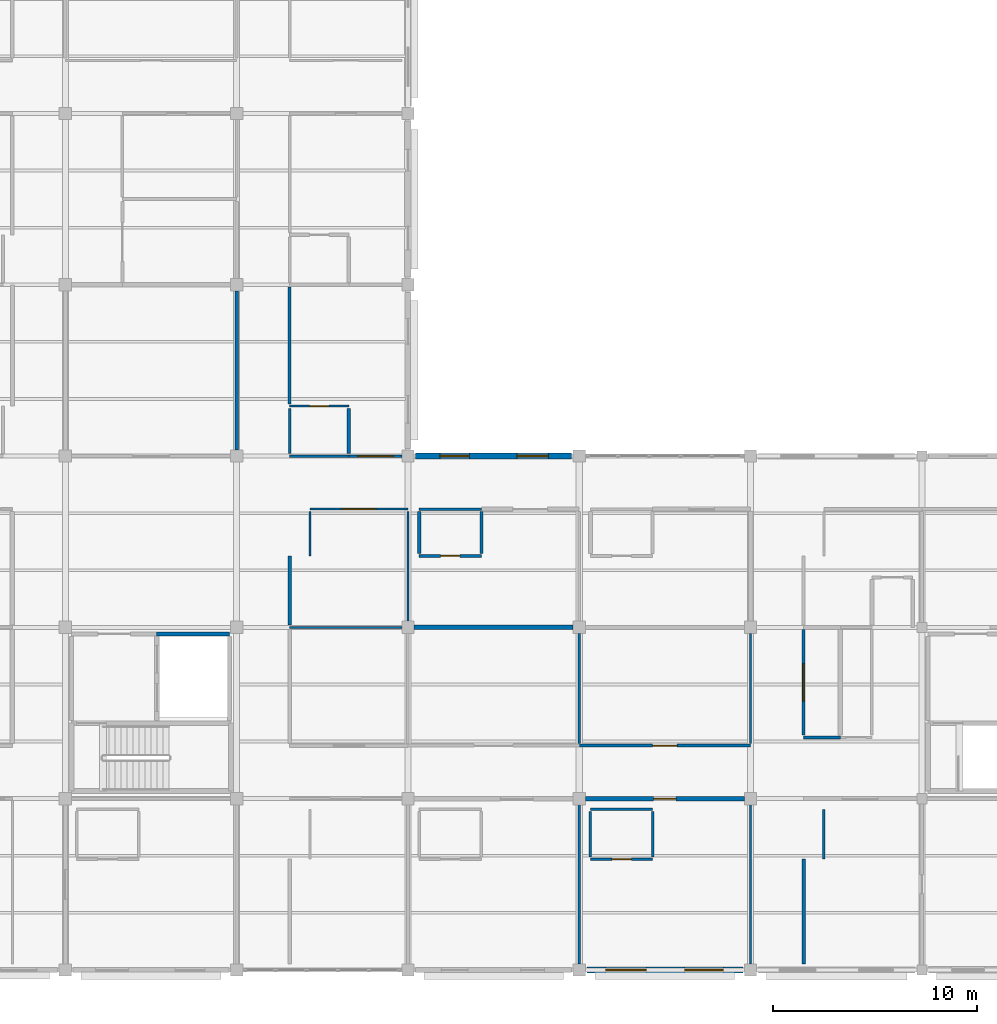
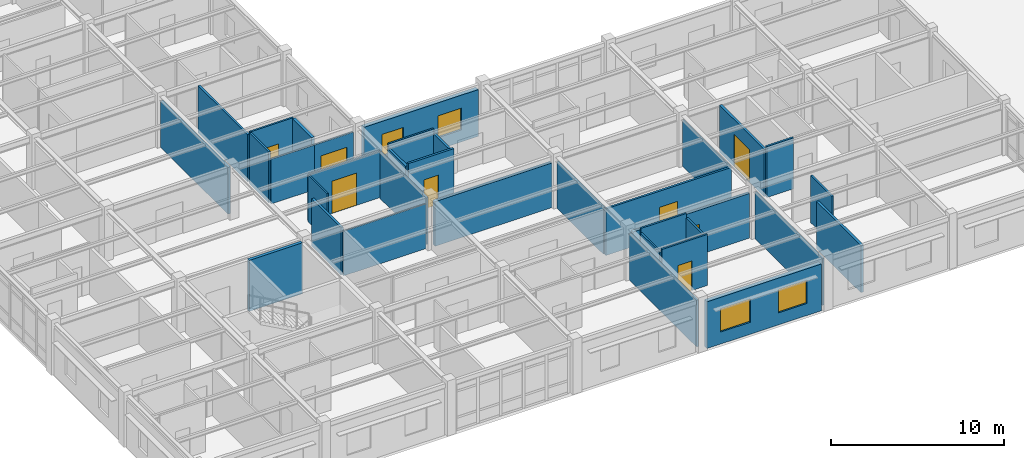
# One storey, part 46 of 70: 34 walls, 8 doors, 4 windows, 12 openings.
"""IFC4 building model written with IfcOpenShell, lengths in metres."""

import ifcopenshell
import ifcopenshell.guid

model = None  # the IFC model being written
_history = None  # IfcOwnerHistory: only IFC2X3 demands one
_inside = {}  # id of a spatial element -> (the spatial element, [elements in it])
_under = {}  # id of a project, library or spatial element -> (it, [spatial elements below it])
_declared = {}  # id of a project -> (the project, [libraries it declares])
_typed = {}  # id of a type object -> (the type object, [elements of that type])
_made_of = {}  # id of a material, layer set ... -> (it, [elements and type objects made of it])


def new_model(schema):
    """Start an empty IFC model of exactly this schema.

    Asked for "IFC4X3", IfcOpenShell would pick the latest addendum, in which some entities
    have other attributes; the version numbers below select the first issue.
    IFC2X3 requires an IfcOwnerHistory on every rooted entity: one is made here for all.
    """
    global model, _history
    if schema == "IFC4X3":
        model = ifcopenshell.file(schema_version=(4, 3, 0, 0))
    else:
        model = ifcopenshell.file(schema=schema)
    _inside.clear()
    _under.clear()
    _declared.clear()
    _typed.clear()
    _made_of.clear()
    _history = None
    if model.schema == "IFC2X3":
        org = make("IfcOrganization", Name="unknown")
        user = make(
            "IfcPersonAndOrganization",
            ThePerson=make("IfcPerson", FamilyName="unknown"),
            TheOrganization=org,
        )
        app = make(
            "IfcApplication",
            ApplicationDeveloper=org,
            Version="unknown",
            ApplicationFullName="unknown",
            ApplicationIdentifier="unknown",
        )
        _history = make(
            "IfcOwnerHistory",
            OwningUser=user,
            OwningApplication=app,
            ChangeAction="ADDED",
            CreationDate=0,
        )
    return model


def make(cls, **values):
    """One entity of the class cls with the attributes given. An attribute that is None is left unset."""
    return model.create_entity(
        cls, **{name: value for name, value in values.items() if value is not None}
    )


def rooted(cls, **values):
    """An entity with a GlobalId (a new one), such as an element, a storey or a relation."""
    return make(cls, GlobalId=ifcopenshell.guid.new(), OwnerHistory=_history, **values)


def si_unit(unit_type, name, prefix=None):
    """IfcSIUnit, for example si_unit("LENGTHUNIT", "METRE", prefix="MILLI")."""
    return make("IfcSIUnit", UnitType=unit_type, Prefix=prefix, Name=name)


def assignment(units):
    """IfcUnitAssignment: the units of a project."""
    return None if units is None else make("IfcUnitAssignment", Units=units)


def point(xyz):
    """IfcCartesianPoint."""
    return None if xyz is None else make("IfcCartesianPoint", Coordinates=xyz)


def direction(xyz):
    """IfcDirection."""
    return None if xyz is None else make("IfcDirection", DirectionRatios=xyz)


def frame(location, z_axis=None, x_axis=None):
    """IfcAxis2Placement3D, a coordinate frame: its origin and axes. An axis left out is left unset."""
    return make(
        "IfcAxis2Placement3D",
        Location=point(location),
        Axis=direction(z_axis),
        RefDirection=direction(x_axis),
    )


def frame_2d(location, x_axis=None):
    """IfcAxis2Placement2D, a coordinate frame in the plane: its origin and x axis."""
    return make(
        "IfcAxis2Placement2D", Location=point(location), RefDirection=direction(x_axis)
    )


def origin():
    """The frame at (0, 0, 0) with its axes left unset."""
    return frame((0.0, 0.0, 0.0))


def place(relative_to, where):
    """IfcLocalPlacement: puts the frame where relative to a parent placement (None: the world)."""
    return make(
        "IfcLocalPlacement", PlacementRelTo=relative_to, RelativePlacement=where
    )


def context(
    kind, dimensions, precision=None, world=None, true_north=None, identifier=None
):
    """IfcGeometricRepresentationContext, for example the 3D "Model" context."""
    return make(
        "IfcGeometricRepresentationContext",
        ContextIdentifier=identifier,
        ContextType=kind,
        CoordinateSpaceDimension=dimensions,
        Precision=precision,
        WorldCoordinateSystem=world,
        TrueNorth=true_north,
    )


def subcontext(parent, identifier, kind, view, scale=None):
    """IfcGeometricRepresentationSubContext, for example "Body" below "Model"."""
    return make(
        "IfcGeometricRepresentationSubContext",
        ContextIdentifier=identifier,
        ContextType=kind,
        ParentContext=parent,
        TargetScale=scale,
        TargetView=view,
    )


def project(units=None, contexts=None):
    """IfcProject with its units and contexts."""
    return rooted(
        "IfcProject",
        Name="project",
        RepresentationContexts=contexts,
        UnitsInContext=assignment(units),
    )


def spatial(cls, under=None, at=None, **own):
    """A site, building, storey or space (cls), placed at a placement, below another one or the project."""
    s = rooted(cls, ObjectPlacement=at, **own)
    if under is not None:
        _under.setdefault(under.id(), (under, []))[1].append(s)
    return s


def profile(cls, at=None, kind="AREA", **sizes):
    """A parametric profile (cls). Its sizes go by their IFC names, for example OverallWidth=200.0."""
    return make(cls, ProfileType=kind, Position=at, **sizes)


def rectangle(**sizes):
    """IfcRectangleProfileDef."""
    return profile("IfcRectangleProfileDef", **sizes)


def extrude(swept, where, along, depth):
    """IfcExtrudedAreaSolid: the profile swept, set in the frame where, extruded along a direction by depth."""
    return make(
        "IfcExtrudedAreaSolid",
        SweptArea=swept,
        Position=where,
        ExtrudedDirection=direction(along),
        Depth=depth,
    )


def shape(context_of_items, identifier, shape_type, items):
    """IfcShapeRepresentation: the items that make up one representation, for example the "Body"."""
    return make(
        "IfcShapeRepresentation",
        ContextOfItems=context_of_items,
        RepresentationIdentifier=identifier,
        RepresentationType=shape_type,
        Items=items,
    )


def material(Name=None, Category=None):
    """IfcMaterial."""
    return make("IfcMaterial", Name=Name, Category=Category)


def layer(
    of_material, thickness, ventilated=None, Name=None, Category=None, Priority=None
):
    """IfcMaterialLayer: one layer of a wall or slab, of a material (None: an air gap)."""
    return make(
        "IfcMaterialLayer",
        Material=of_material,
        LayerThickness=thickness,
        IsVentilated=ventilated,
        Name=Name,
        Category=Category,
        Priority=Priority,
    )


def layer_set(layers, Name=None):
    """IfcMaterialLayerSet."""
    return make("IfcMaterialLayerSet", MaterialLayers=layers, LayerSetName=Name)


def made_of(thing, what):
    """Note that an element or type object is made of a material, layer set ...; save() writes the relation."""
    if what is not None:
        _made_of.setdefault(what.id(), (what, []))[1].append(thing)
    return thing


def type_object(cls, material=None, **own):
    """A type object (cls), such as IfcWallType, which elements share."""
    return made_of(rooted(cls, **own), material)


def element(
    cls,
    number,
    at=None,
    inside=None,
    cuts=None,
    type_object=None,
    material=None,
    context=None,
    identifier="Body",
    shape_type=None,
    held_by="IfcProductDefinitionShape",
    body=None,
    shapes=None,
    **own,
):
    """One element of the class cls, such as IfcWall. Its Tag is "e" and its number.

    at: its placement. inside: the storey or other place that contains it. cuts: it is an
    opening in that element (IfcRelVoidsElement). A single representation is given by context,
    identifier, shape_type and body (its items); several are given by shapes. held_by: the class
    of the entity that holds the representations. save() writes the other relations.
    """
    e = rooted(cls, Tag="e%d" % number, ObjectPlacement=at, **own)
    if body is not None:
        shapes = [shape(context, identifier, shape_type, body)]
    if shapes is not None:
        e.Representation = make(held_by, Representations=shapes)
    if inside is not None:
        _inside.setdefault(inside.id(), (inside, []))[1].append(e)
    if cuts is not None:
        rooted(
            "IfcRelVoidsElement", RelatingBuildingElement=cuts, RelatedOpeningElement=e
        )
    if type_object is not None:
        _typed.setdefault(type_object.id(), (type_object, []))[1].append(e)
    return made_of(e, material)


def fill(opening, filler):
    """IfcRelFillsElement: the door or window that sits in an opening."""
    return rooted(
        "IfcRelFillsElement",
        RelatingOpeningElement=opening,
        RelatedBuildingElement=filler,
    )


def aggregate(whole, parts):
    """IfcRelAggregates: a whole, such as a stair, and the parts it consists of."""
    return rooted("IfcRelAggregates", RelatingObject=whole, RelatedObjects=parts)


def save(model, path):
    """Write the relations noted so far, then the file.

    IfcRelAggregates (storeys below a building ...), IfcRelContainedInSpatialStructure (elements
    in a storey), IfcRelDefinesByType, IfcRelAssociatesMaterial and IfcRelDeclares: one each for
    every whole, place, type object, material and project.
    """
    for whole, parts in _under.values():
        aggregate(whole, parts)
    for where, things in _inside.values():
        rooted(
            "IfcRelContainedInSpatialStructure",
            RelatedElements=things,
            RelatingStructure=where,
        )
    for kind, things in _typed.values():
        rooted("IfcRelDefinesByType", RelatedObjects=things, RelatingType=kind)
    for what, things in _made_of.values():
        rooted("IfcRelAssociatesMaterial", RelatedObjects=things, RelatingMaterial=what)
    for by, libraries in _declared.values():
        rooted("IfcRelDeclares", RelatingContext=by, RelatedDefinitions=libraries)
    model.write(path)


model = new_model("IFC4")

# Units and contexts
model_context = context("Model", 3, precision=1e-05, world=origin(), true_north=direction((0.0, 1.0)))
body_context = subcontext(model_context, "Body", "Model", "MODEL_VIEW")
ifc_project = project(units=[si_unit("LENGTHUNIT", "METRE"), si_unit("AREAUNIT", "SQUARE_METRE"), si_unit("VOLUMEUNIT", "CUBIC_METRE"), si_unit("PLANEANGLEUNIT", "RADIAN"), si_unit("MASSUNIT", "GRAM", prefix="KILO")], contexts=[model_context])

# Site, building, storey
site_placement = place(None, origin())
site = spatial("IfcSite", under=ifc_project, at=site_placement, CompositionType="ELEMENT")
building_placement = place(site_placement, origin())
building = spatial("IfcBuilding", under=site, at=building_placement, Name="Bramfleet General Hospital", CompositionType="ELEMENT")
storey_placement = place(building_placement, frame((0.0, 0.0, 22.5)))
storey = spatial("IfcBuildingStorey", under=building, at=storey_placement, Name="L05", CompositionType="ELEMENT", Elevation=22.5)

# Wall, openings, windows
ifc_material_1 = material(Name="Precast concrete C40/50", Category="concrete")
ifc_layer_1 = layer(ifc_material_1, 0.280029296875, Name="WT-EW-06")
ifc_layer_set_1 = layer_set([ifc_layer_1], Name="Precast concrete C40/50")
wall_type_1 = type_object("IfcWallType", Name="WT-EW-06", PredefinedType="SOLIDWALL", material=ifc_layer_set_1)
wall_1_placement = place(storey_placement, frame((117.97509765625, 25.199951171875, 0.0), z_axis=(0.0, 0.0, 1.0), x_axis=(1.0, 0.0, 0.0)))
wall_1 = element("IfcWall", 1, at=wall_1_placement, inside=storey, type_object=wall_type_1, Name="L05 Exterior Wall 368", PredefinedType="SOLIDWALL", context=body_context, shape_type="SweptSolid", body=[
    extrude(rectangle(XDim=7.64990234375, YDim=0.280029296875, at=frame_2d((3.824951171875, 0.0))), origin(), (0.0, 0.0, 1.0), 3.31005859375),
])
opening_1_placement = place(wall_1_placement, frame((1.1875, 0.0, 0.85009765625)))
opening_1 = element("IfcOpeningElement", 2, at=opening_1_placement, cuts=wall_1, Name="Opening W-25", PredefinedType="OPENING", context=body_context, shape_type="SweptSolid", body=[
    extrude(rectangle(XDim=1.449951171875, YDim=1.5400390625, at=frame_2d((0.72509765625, 0.77001953125))), frame((0.0, 0.14990234375, 0.0), z_axis=(0.0, -1.0, 0.0), x_axis=(1.0, 0.0, 0.0)), (0.0, 0.0, 1.0), 0.300048828125),
])
opening_2_placement = place(wall_1_placement, frame((4.96240234375, 0.0, 0.85009765625)))
opening_2 = element("IfcOpeningElement", 3, at=opening_2_placement, cuts=wall_1, Name="Opening W-26", PredefinedType="OPENING", context=body_context, shape_type="SweptSolid", body=[
    extrude(rectangle(XDim=1.550048828125, YDim=1.5400390625, at=frame_2d((0.77490234375, 0.77001953125))), frame((0.0, 0.14990234375, 0.0), z_axis=(0.0, -1.0, 0.0), x_axis=(1.0, 0.0, 0.0)), (0.0, 0.0, 1.0), 0.300048828125),
])
ifc_material_2 = material(Name="Anodised aluminium and low-E triple glazing", Category="aluminium")
window_type_1 = type_object("IfcWindowType", Name="WIN-W-25", PartitioningType="SINGLE_PANEL", PredefinedType="WINDOW", material=ifc_material_2)
window_1_placement = place(opening_1_placement, origin())
window_1 = element("IfcWindow", 4, at=window_1_placement, inside=storey, type_object=window_type_1, Name="L05 Facade Window WIN-L05-368-1", OverallHeight=1.5400390625, OverallWidth=1.449951171875, PartitioningType="SINGLE_PANEL", PredefinedType="WINDOW", context=body_context, shape_type="SweptSolid", body=[
    extrude(rectangle(XDim=1.449951171875, YDim=1.5400390625, at=frame_2d((0.72509765625, 0.77001953125))), frame((0.0, 0.030029296875, 0.0), z_axis=(0.0, -1.0, 0.0), x_axis=(1.0, 0.0, 0.0)), (0.0, 0.0, 1.0), 0.06005859375),
])
fill(opening_1, window_1)
window_type_2 = type_object("IfcWindowType", Name="WIN-W-26", PartitioningType="SINGLE_PANEL", PredefinedType="WINDOW", material=ifc_material_2)
window_2_placement = place(opening_2_placement, origin())
window_2 = element("IfcWindow", 5, at=window_2_placement, inside=storey, type_object=window_type_2, Name="L05 Facade Window WIN-L05-368-2", OverallHeight=1.5400390625, OverallWidth=1.550048828125, PartitioningType="SINGLE_PANEL", PredefinedType="WINDOW", context=body_context, shape_type="SweptSolid", body=[
    extrude(rectangle(XDim=1.550048828125, YDim=1.5400390625, at=frame_2d((0.77490234375, 0.77001953125))), frame((0.0, 0.030029296875, 0.0), z_axis=(0.0, -1.0, 0.0), x_axis=(1.0, 0.0, 0.0)), (0.0, 0.0, 1.0), 0.06005859375),
])
fill(opening_2, window_2)

wall_2_placement = place(storey_placement, frame((134.02490234375, 0.0, 0.0), z_axis=(0.0, 0.0, 1.0), x_axis=(-1.0, 0.0, 0.0)))
wall_2 = element("IfcWall", 6, at=wall_2_placement, inside=storey, type_object=wall_type_1, Name="L05 Exterior Wall 375", PredefinedType="SOLIDWALL", context=body_context, shape_type="SweptSolid", body=[
    extrude(rectangle(XDim=7.64990234375, YDim=0.280029296875, at=frame_2d((3.824951171875, 0.0))), origin(), (0.0, 0.0, 1.0), 3.31005859375),
])
opening_3_placement = place(wall_2_placement, frame((0.96240234375, 0.0, 0.85009765625)))
opening_3 = element("IfcOpeningElement", 7, at=opening_3_placement, cuts=wall_2, Name="Opening W-39", PredefinedType="OPENING", context=body_context, shape_type="SweptSolid", body=[
    extrude(rectangle(XDim=1.89990234375, YDim=1.659912109375, at=frame_2d((0.949951171875, 0.830078125))), frame((0.0, 0.14990234375, 0.0), z_axis=(0.0, -1.0, 0.0), x_axis=(1.0, 0.0, 0.0)), (0.0, 0.0, 1.0), 0.300048828125),
])
opening_4_placement = place(wall_2_placement, frame((4.737548828125, 0.0, 0.85009765625)))
opening_4 = element("IfcOpeningElement", 8, at=opening_4_placement, cuts=wall_2, Name="Opening W-40", PredefinedType="OPENING", context=body_context, shape_type="SweptSolid", body=[
    extrude(rectangle(XDim=2.0, YDim=1.659912109375, at=frame_2d((1.0, 0.830078125))), frame((0.0, 0.14990234375, 0.0), z_axis=(0.0, -1.0, 0.0), x_axis=(1.0, 0.0, 0.0)), (0.0, 0.0, 1.0), 0.300048828125),
])
window_type_3 = type_object("IfcWindowType", Name="WIN-W-39", PartitioningType="SINGLE_PANEL", PredefinedType="WINDOW", material=ifc_material_2)
window_3_placement = place(opening_3_placement, origin())
window_3 = element("IfcWindow", 9, at=window_3_placement, inside=storey, type_object=window_type_3, Name="L05 Facade Window WIN-L05-375-1", OverallHeight=1.659912109375, OverallWidth=1.89990234375, PartitioningType="SINGLE_PANEL", PredefinedType="WINDOW", context=body_context, shape_type="SweptSolid", body=[
    extrude(rectangle(XDim=1.89990234375, YDim=1.659912109375, at=frame_2d((0.949951171875, 0.830078125))), frame((0.0, 0.030029296875, 0.0), z_axis=(0.0, -1.0, 0.0), x_axis=(1.0, 0.0, 0.0)), (0.0, 0.0, 1.0), 0.06005859375),
])
fill(opening_3, window_3)
window_type_4 = type_object("IfcWindowType", Name="WIN-W-40", PartitioningType="SINGLE_PANEL", PredefinedType="WINDOW", material=ifc_material_2)
window_4_placement = place(opening_4_placement, origin())
window_4 = element("IfcWindow", 10, at=window_4_placement, inside=storey, type_object=window_type_4, Name="L05 Facade Window WIN-L05-375-2", OverallHeight=1.659912109375, OverallWidth=2.0, PartitioningType="SINGLE_PANEL", PredefinedType="WINDOW", context=body_context, shape_type="SweptSolid", body=[
    extrude(rectangle(XDim=2.0, YDim=1.659912109375, at=frame_2d((1.0, 0.830078125))), frame((0.0, 0.030029296875, 0.0), z_axis=(0.0, -1.0, 0.0), x_axis=(1.0, 0.0, 0.0)), (0.0, 0.0, 1.0), 0.06005859375),
])
fill(opening_4, window_4)

# Walls
ifc_material_3 = material(Name="Concrete C35/45", Category="concrete")
ifc_layer_2 = layer(ifc_material_3, 0.219970703125, Name="WT-IW-01")
ifc_layer_set_2 = layer_set([ifc_layer_2], Name="Concrete C35/45")
wall_type_2 = type_object("IfcWallType", Name="WT-IW-01", PredefinedType="PARTITIONING", material=ifc_layer_set_2)
wall_3_placement = place(storey_placement, frame((117.89501953125, 16.800048828125, 0.0), z_axis=(0.0, 0.0, 1.0), x_axis=(1.0, 0.0, 0.0)))
element("IfcWall", 11, at=wall_3_placement, inside=storey, type_object=wall_type_2, Name="L05 Interior Partition IW-L05-3517", PredefinedType="PARTITIONING", context=body_context, shape_type="SweptSolid", body=[
    extrude(rectangle(XDim=7.81005859375, YDim=0.219970703125, at=frame_2d((3.905029296875, 0.0))), origin(), (0.0, 0.0, 1.0), 3.159912109375),
])
ifc_layer_3 = layer(ifc_material_3, 0.205078125, Name="WT-IW-02")
ifc_layer_set_3 = layer_set([ifc_layer_3], Name="Concrete C35/45")
wall_type_3 = type_object("IfcWallType", Name="WT-IW-02", PredefinedType="PARTITIONING", material=ifc_layer_set_3)
wall_4_placement = place(storey_placement, frame((105.280029296875, 16.47998046875, 0.0), z_axis=(0.0, 0.0, 1.0), x_axis=(1.0, 0.0, 0.0)))
element("IfcWall", 12, at=wall_4_placement, inside=storey, type_object=wall_type_3, Name="L05 C3 Lift Shaft North Wall", PredefinedType="PARTITIONING", context=body_context, shape_type="SweptSolid", body=[
    extrude(rectangle(XDim=3.570068359375, YDim=0.205078125, at=frame_2d((1.78515625, 0.0))), origin(), (0.0, 0.0, 1.0), 3.610107421875),
])

# Wall, opening, door
wall_5_placement = place(storey_placement, frame((126.294921875, 8.39990234375, 0.0), z_axis=(0.0, 0.0, 1.0), x_axis=(1.0, 0.0, 0.0)))
wall_5 = element("IfcWall", 13, at=wall_5_placement, inside=storey, type_object=wall_type_3, Name="L05 Interior Partition IW-L05-3506", PredefinedType="PARTITIONING", context=body_context, shape_type="SweptSolid", body=[
    extrude(rectangle(XDim=7.81005859375, YDim=0.205078125, at=frame_2d((3.905029296875, 0.0))), origin(), (0.0, 0.0, 1.0), 3.159912109375),
])
opening_5_placement = place(wall_5_placement, frame((3.35498046875, 0.0, 0.0)))
opening_5 = element("IfcOpeningElement", 14, at=opening_5_placement, cuts=wall_5, Name="Opening D1419", PredefinedType="OPENING", context=body_context, shape_type="SweptSolid", body=[
    extrude(rectangle(XDim=1.10009765625, YDim=2.14990234375, at=frame_2d((0.550048828125, 1.074951171875))), frame((0.0, 0.112548828125, 0.0), z_axis=(0.0, -1.0, 0.0), x_axis=(1.0, 0.0, 0.0)), (0.0, 0.0, 1.0), 0.22509765625),
])
ifc_material_4 = material(Name="Stainless steel and acoustic timber leaf", Category="steel")
door_type_1 = type_object("IfcDoorType", Name="DR-D-11", OperationType="NOTDEFINED", PredefinedType="DOOR", material=ifc_material_4)
door_1_placement = place(opening_5_placement, origin())
door_1 = element("IfcDoor", 15, at=door_1_placement, inside=storey, type_object=door_type_1, Name="Medical and Cardiology Ward Bedroom L05-1500 Door D1419", OperationType="SINGLE_SWING_RIGHT", OverallHeight=2.14990234375, OverallWidth=1.10009765625, PredefinedType="DOOR", context=body_context, shape_type="SweptSolid", body=[
    extrude(rectangle(XDim=1.10009765625, YDim=2.14990234375, at=frame_2d((0.550048828125, 1.074951171875))), frame((0.0, 0.02490234375, 0.0), z_axis=(0.0, -1.0, 0.0), x_axis=(1.0, 0.0, 0.0)), (0.0, 0.0, 1.0), 0.050048828125),
])
fill(opening_5, door_1)

# Walls
ifc_layer_4 = layer(ifc_material_3, 0.18994140625, Name="WT-IW-03")
ifc_layer_set_4 = layer_set([ifc_layer_4], Name="Concrete C35/45")
wall_type_4 = type_object("IfcWallType", Name="WT-IW-03", PredefinedType="PARTITIONING", material=ifc_layer_set_4)
wall_6_placement = place(storey_placement, frame((114.699951171875, 25.31494140625, 0.0), z_axis=(0.0, 0.0, 1.0), x_axis=(0.0, 1.0, 0.0)))
element("IfcWall", 16, at=wall_6_placement, inside=storey, type_object=wall_type_4, Name="L05 Interior Partition IW-L05-3771", PredefinedType="PARTITIONING", context=body_context, shape_type="SweptSolid", body=[
    extrude(rectangle(XDim=2.219970703125, YDim=0.18994140625, at=frame_2d((1.10986328125, 0.0))), origin(), (0.0, 0.0, 1.0), 3.610107421875),
])
ifc_material_5 = material(Name="Gypsum plasterboard on acoustic steel studs", Category="steel")
ifc_layer_5 = layer(ifc_material_5, 0.169921875, Name="WT-IW-05")
ifc_layer_set_5 = layer_set([ifc_layer_5], Name="Gypsum plasterboard on acoustic steel studs")
wall_type_5 = type_object("IfcWallType", Name="WT-IW-05", PredefinedType="PARTITIONING", material=ifc_layer_set_5)
wall_7_placement = place(storey_placement, frame((109.199951171875, 25.4951171875, 0.0), z_axis=(0.0, 0.0, 1.0), x_axis=(0.0, 1.0, 0.0)))
element("IfcWall", 17, at=wall_7_placement, inside=storey, type_object=wall_type_5, Name="L05 Interior Partition IW-L05-3737", PredefinedType="PARTITIONING", context=body_context, shape_type="SweptSolid", body=[
    extrude(rectangle(XDim=7.809814453125, YDim=0.169921875, at=frame_2d((3.90478515625, 0.0))), origin(), (0.0, 0.0, 1.0), 3.300048828125),
])
wall_8_placement = place(storey_placement, frame((118.14990234375, 20.4150390625, 0.0), z_axis=(0.0, 0.0, 1.0), x_axis=(0.0, 1.0, 0.0)))
element("IfcWall", 18, at=wall_8_placement, inside=storey, type_object=wall_type_5, Name="L05 Interior Partition IW-L05-3785", PredefinedType="PARTITIONING", context=body_context, shape_type="SweptSolid", body=[
    extrude(rectangle(XDim=2.070068359375, YDim=0.169921875, at=frame_2d((1.03515625, 0.0))), origin(), (0.0, 0.0, 1.0), 3.340087890625),
])
wall_9_placement = place(storey_placement, frame((137.0, 0.280029296875, 0.0), z_axis=(0.0, 0.0, 1.0), x_axis=(0.0, 1.0, 0.0)))
element("IfcWall", 19, at=wall_9_placement, inside=storey, type_object=wall_type_5, Name="L05 Interior Partition IW-L05-3809", PredefinedType="PARTITIONING", context=body_context, shape_type="SweptSolid", body=[
    extrude(rectangle(XDim=5.14990234375, YDim=0.169921875, at=frame_2d((2.574951171875, 0.0))), origin(), (0.0, 0.0, 1.0), 3.340087890625),
])
ifc_layer_6 = layer(ifc_material_5, 0.159912109375, Name="WT-IW-06")
ifc_layer_set_6 = layer_set([ifc_layer_6], Name="Gypsum plasterboard on acoustic steel studs")
wall_type_6 = type_object("IfcWallType", Name="WT-IW-06", PredefinedType="PARTITIONING", material=ifc_layer_set_6)
wall_10_placement = place(storey_placement, frame((111.800048828125, 16.9150390625, 0.0), z_axis=(0.0, 0.0, 1.0), x_axis=(0.0, 1.0, 0.0)))
element("IfcWall", 20, at=wall_10_placement, inside=storey, type_object=wall_type_6, Name="L05 Interior Partition IW-L05-3750", PredefinedType="PARTITIONING", context=body_context, shape_type="SweptSolid", body=[
    extrude(rectangle(XDim=3.385009765625, YDim=0.159912109375, at=frame_2d((1.6923828125, 0.0))), origin(), (0.0, 0.0, 1.0), 3.340087890625),
])

# Wall, opening, door
wall_11_placement = place(storey_placement, frame((137.0, 11.514892578125, 0.0), z_axis=(0.0, 0.0, 1.0), x_axis=(0.0, 1.0, 0.0)))
wall_11 = element("IfcWall", 21, at=wall_11_placement, inside=storey, type_object=wall_type_6, Name="L05 Interior Partition IW-L05-3810", PredefinedType="PARTITIONING", context=body_context, shape_type="SweptSolid", body=[
    extrude(rectangle(XDim=5.170166015625, YDim=0.159912109375, at=frame_2d((2.5849609375, 0.0))), origin(), (0.0, 0.0, 1.0), 3.340087890625),
])
opening_6_placement = place(wall_11_placement, frame((1.6650390625, 0.0, 0.0)))
opening_6 = element("IfcOpeningElement", 22, at=opening_6_placement, cuts=wall_11, Name="Opening D1428", PredefinedType="OPENING", context=body_context, shape_type="SweptSolid", body=[
    extrude(rectangle(XDim=1.840087890625, YDim=2.280029296875, at=frame_2d((0.919921875, 1.14013671875))), frame((0.0, 0.08984375, 0.0), z_axis=(0.0, -1.0, 0.0), x_axis=(1.0, 0.0, 0.0)), (0.0, 0.0, 1.0), 0.179931640625),
])
door_type_2 = type_object("IfcDoorType", Name="DR-D-20", OperationType="NOTDEFINED", PredefinedType="DOOR", material=ifc_material_4)
door_2_placement = place(opening_6_placement, origin())
door_2 = element("IfcDoor", 23, at=door_2_placement, inside=storey, type_object=door_type_2, Name="Clean Medication and Treatment Room L05-1601 Door D1428", OperationType="DOUBLE_SWING_LEFT", OverallHeight=2.280029296875, OverallWidth=1.840087890625, PredefinedType="DOOR", context=body_context, shape_type="SweptSolid", body=[
    extrude(rectangle(XDim=1.840087890625, YDim=2.280029296875, at=frame_2d((0.919921875, 1.14013671875))), frame((0.0, 0.02490234375, 0.0), z_axis=(0.0, -1.0, 0.0), x_axis=(1.0, 0.0, 0.0)), (0.0, 0.0, 1.0), 0.050048828125),
])
fill(opening_6, door_2)

# Wall
ifc_layer_7 = layer(ifc_material_5, 0.14990234375, Name="WT-IW-07")
ifc_layer_set_7 = layer_set([ifc_layer_7], Name="Gypsum plasterboard on acoustic steel studs")
wall_type_7 = type_object("IfcWallType", Name="WT-IW-07", PredefinedType="PARTITIONING", material=ifc_layer_set_7)
wall_12_placement = place(storey_placement, frame((121.199951171875, 20.4150390625, 0.0), z_axis=(0.0, 0.0, 1.0), x_axis=(0.0, 1.0, 0.0)))
element("IfcWall", 24, at=wall_12_placement, inside=storey, type_object=wall_type_7, Name="L05 Interior Partition IW-L05-3787", PredefinedType="PARTITIONING", context=body_context, shape_type="SweptSolid", body=[
    extrude(rectangle(XDim=2.070068359375, YDim=0.14990234375, at=frame_2d((1.03515625, 0.0))), origin(), (0.0, 0.0, 1.0), 3.340087890625),
])

# Wall, opening, door
ifc_layer_8 = layer(ifc_material_5, 0.139892578125, Name="WT-IW-08")
ifc_layer_set_8 = layer_set([ifc_layer_8], Name="Gypsum plasterboard on acoustic steel studs")
wall_type_8 = type_object("IfcWallType", Name="WT-IW-08", PredefinedType="PARTITIONING", material=ifc_layer_set_8)
wall_13_placement = place(storey_placement, frame((126.0, 11.0, 0.0), z_axis=(0.0, 0.0, 1.0), x_axis=(1.0, 0.0, 0.0)))
wall_13 = element("IfcWall", 25, at=wall_13_placement, inside=storey, type_object=wall_type_8, Name="L05 Interior Partition IW-L05-3512", PredefinedType="PARTITIONING", context=body_context, shape_type="SweptSolid", body=[
    extrude(rectangle(XDim=8.39990234375, YDim=0.139892578125, at=frame_2d((4.199951171875, 0.0))), origin(), (0.0, 0.0, 1.0), 3.300048828125),
])
opening_7_placement = place(wall_13_placement, frame((3.60009765625, 0.0, 0.0)))
opening_7 = element("IfcOpeningElement", 26, at=opening_7_placement, cuts=wall_13, Name="Opening D1421", PredefinedType="OPENING", context=body_context, shape_type="SweptSolid", body=[
    extrude(rectangle(XDim=1.199951171875, YDim=2.14990234375, at=frame_2d((0.60009765625, 1.074951171875))), frame((0.0, 0.079833984375, 0.0), z_axis=(0.0, -1.0, 0.0), x_axis=(1.0, 0.0, 0.0)), (0.0, 0.0, 1.0), 0.159912109375),
])
door_type_3 = type_object("IfcDoorType", Name="DR-D-13", OperationType="NOTDEFINED", PredefinedType="DOOR", material=ifc_material_4)
door_3_placement = place(opening_7_placement, origin())
door_3 = element("IfcDoor", 27, at=door_3_placement, inside=storey, type_object=door_type_3, Name="Medical and Cardiology Ward Nurse Station L05-1501 Door D1421", OperationType="SINGLE_SWING_RIGHT", OverallHeight=2.14990234375, OverallWidth=1.199951171875, PredefinedType="DOOR", context=body_context, shape_type="SweptSolid", body=[
    extrude(rectangle(XDim=1.199951171875, YDim=2.14990234375, at=frame_2d((0.60009765625, 1.074951171875))), frame((0.0, 0.02490234375, 0.0), z_axis=(0.0, -1.0, 0.0), x_axis=(1.0, 0.0, 0.0)), (0.0, 0.0, 1.0), 0.050048828125),
])
fill(opening_7, door_3)

wall_14_placement = place(storey_placement, frame((118.14990234375, 20.300048828125, 0.0), z_axis=(0.0, 0.0, 1.0), x_axis=(1.0, 0.0, 0.0)))
wall_14 = element("IfcWall", 28, at=wall_14_placement, inside=storey, type_object=wall_type_8, Name="L05 Interior Partition IW-L05-3524", PredefinedType="PARTITIONING", context=body_context, shape_type="SweptSolid", body=[
    extrude(rectangle(XDim=3.050048828125, YDim=0.139892578125, at=frame_2d((1.52490234375, 0.0))), origin(), (0.0, 0.0, 1.0), 3.610107421875),
])
opening_8_placement = place(wall_14_placement, frame((1.050048828125, 0.0, 0.0)))
opening_8 = element("IfcOpeningElement", 29, at=opening_8_placement, cuts=wall_14, Name="Opening D1416", PredefinedType="OPENING", context=body_context, shape_type="SweptSolid", body=[
    extrude(rectangle(XDim=0.949951171875, YDim=2.10009765625, at=frame_2d((0.47509765625, 1.050048828125))), frame((0.0, 0.079833984375, 0.0), z_axis=(0.0, -1.0, 0.0), x_axis=(1.0, 0.0, 0.0)), (0.0, 0.0, 1.0), 0.159912109375),
])
door_type_4 = type_object("IfcDoorType", Name="DR-D-10", OperationType="NOTDEFINED", PredefinedType="DOOR", material=ifc_material_4)
door_4_placement = place(opening_8_placement, origin())
door_4 = element("IfcDoor", 30, at=door_4_placement, inside=storey, type_object=door_type_4, Name="En-Suite Bathroom L05-1402 Door D1416", OperationType="SINGLE_SWING_LEFT", OverallHeight=2.10009765625, OverallWidth=0.949951171875, PredefinedType="DOOR", context=body_context, shape_type="SweptSolid", body=[
    extrude(rectangle(XDim=0.949951171875, YDim=2.10009765625, at=frame_2d((0.47509765625, 1.050048828125))), frame((0.0, 0.02490234375, 0.0), z_axis=(0.0, -1.0, 0.0), x_axis=(1.0, 0.0, 0.0)), (0.0, 0.0, 1.0), 0.050048828125),
])
fill(opening_8, door_4)

# Walls
wall_15_placement = place(storey_placement, frame((111.800048828125, 27.764892578125, 0.0), z_axis=(0.0, 0.0, 1.0), x_axis=(0.0, 1.0, 0.0)))
element("IfcWall", 31, at=wall_15_placement, inside=storey, type_object=wall_type_8, Name="L05 Interior Partition IW-L05-3752", PredefinedType="PARTITIONING", context=body_context, shape_type="SweptSolid", body=[
    extrude(rectangle(XDim=5.72021484375, YDim=0.139892578125, at=frame_2d((2.860107421875, 0.0))), origin(), (0.0, 0.0, 1.0), 3.340087890625),
])
wall_16_placement = place(storey_placement, frame((126.0, 0.294921875, 0.0), z_axis=(0.0, 0.0, 1.0), x_axis=(0.0, 1.0, 0.0)))
element("IfcWall", 32, at=wall_16_placement, inside=storey, type_object=wall_type_8, Name="L05 Interior Partition IW-L05-3788", PredefinedType="PARTITIONING", context=body_context, shape_type="SweptSolid", body=[
    extrude(rectangle(XDim=7.81005859375, YDim=0.139892578125, at=frame_2d((3.905029296875, 0.0))), origin(), (0.0, 0.0, 1.0), 3.300048828125),
])
ifc_layer_9 = layer(ifc_material_5, 0.1298828125, Name="WT-IW-09")
ifc_layer_set_9 = layer_set([ifc_layer_9], Name="Gypsum plasterboard on acoustic steel studs")
wall_type_9 = type_object("IfcWallType", Name="WT-IW-09", PredefinedType="PARTITIONING", material=ifc_layer_set_9)
wall_17_placement = place(storey_placement, frame((137.0, 11.39990234375, 0.0), z_axis=(0.0, 0.0, 1.0), x_axis=(1.0, 0.0, 0.0)))
element("IfcWall", 33, at=wall_17_placement, inside=storey, type_object=wall_type_9, Name="L05 Interior Partition IW-L05-3513", PredefinedType="PARTITIONING", context=body_context, shape_type="SweptSolid", body=[
    extrude(rectangle(XDim=1.800048828125, YDim=0.1298828125, at=frame_2d((0.89990234375, 0.0))), origin(), (0.0, 0.0, 1.0), 3.610107421875),
])
wall_18_placement = place(storey_placement, frame((126.0, 11.114990234375, 0.0), z_axis=(0.0, 0.0, 1.0), x_axis=(0.0, 1.0, 0.0)))
element("IfcWall", 34, at=wall_18_placement, inside=storey, type_object=wall_type_9, Name="L05 Interior Partition IW-L05-3789", PredefinedType="PARTITIONING", context=body_context, shape_type="SweptSolid", body=[
    extrude(rectangle(XDim=5.389892578125, YDim=0.1298828125, at=frame_2d((2.69482421875, 0.0))), origin(), (0.0, 0.0, 1.0), 3.300048828125),
])

# Wall, opening, door
ifc_layer_10 = layer(ifc_material_5, 0.1201171875, Name="WT-IW-10")
ifc_layer_set_10 = layer_set([ifc_layer_10], Name="Gypsum plasterboard on acoustic steel studs")
wall_type_10 = type_object("IfcWallType", Name="WT-IW-10", PredefinedType="PARTITIONING", material=ifc_layer_set_10)
wall_19_placement = place(storey_placement, frame((126.550048828125, 5.429931640625, 0.0), z_axis=(0.0, 0.0, 1.0), x_axis=(1.0, 0.0, 0.0)))
wall_19 = element("IfcWall", 35, at=wall_19_placement, inside=storey, type_object=wall_type_10, Name="L05 Interior Partition IW-L05-3497", PredefinedType="PARTITIONING", context=body_context, shape_type="SweptSolid", body=[
    extrude(rectangle(XDim=3.050048828125, YDim=0.1201171875, at=frame_2d((1.52490234375, 0.0))), origin(), (0.0, 0.0, 1.0), 3.610107421875),
])
opening_9_placement = place(wall_19_placement, frame((1.050048828125, 0.0, 0.0)))
opening_9 = element("IfcOpeningElement", 36, at=opening_9_placement, cuts=wall_19, Name="Opening D1420", PredefinedType="OPENING", context=body_context, shape_type="SweptSolid", body=[
    extrude(rectangle(XDim=0.949951171875, YDim=2.10009765625, at=frame_2d((0.47509765625, 1.050048828125))), frame((0.0, 0.070068359375, 0.0), z_axis=(0.0, -1.0, 0.0), x_axis=(1.0, 0.0, 0.0)), (0.0, 0.0, 1.0), 0.14013671875),
])
door_5_placement = place(opening_9_placement, origin())
door_5 = element("IfcDoor", 37, at=door_5_placement, inside=storey, type_object=door_type_4, Name="En-Suite Bathroom L05-1500 Door D1420", OperationType="SINGLE_SWING_LEFT", OverallHeight=2.10009765625, OverallWidth=0.949951171875, PredefinedType="DOOR", context=body_context, shape_type="SweptSolid", body=[
    extrude(rectangle(XDim=0.949951171875, YDim=2.10009765625, at=frame_2d((0.47509765625, 1.050048828125))), frame((0.0, 0.02490234375, 0.0), z_axis=(0.0, -1.0, 0.0), x_axis=(1.0, 0.0, 0.0)), (0.0, 0.0, 1.0), 0.050048828125),
])
fill(opening_9, door_5)

# Walls
for number, where, z_axis, x_axis, name in (
    (38, (126.550048828125, 7.8798828125, 0.0), (0.0, 0.0, 1.0), (1.0, 0.0, 0.0), "L05 Interior Partition IW-L05-3501"),
    (39, (118.14990234375, 22.60009765625, 0.0), (0.0, 0.0, 1.0), (1.0, 0.0, 0.0), "L05 Interior Partition IW-L05-3529"),
):
    element("IfcWall", number, at=place(storey_placement, frame(where, z_axis=z_axis, x_axis=x_axis)), inside=storey, type_object=wall_type_10, Name=name, PredefinedType="PARTITIONING", context=body_context, shape_type="SweptSolid", body=[
        extrude(rectangle(XDim=3.050048828125, YDim=0.1201171875, at=frame_2d((1.52490234375, 0.0))), origin(), (0.0, 0.0, 1.0), 3.610107421875),
    ])
wall_20_placement = place(storey_placement, frame((111.800048828125, 25.199951171875, 0.0), z_axis=(0.0, 0.0, 1.0), x_axis=(1.0, 0.0, 0.0)))
element("IfcWall", 40, at=wall_20_placement, inside=storey, type_object=wall_type_10, Name="L05 Interior Partition IW-L05-3537", PredefinedType="PARTITIONING", context=body_context, shape_type="SweptSolid", body=[
    extrude(rectangle(XDim=2.89990234375, YDim=0.1201171875, at=frame_2d((1.449951171875, 0.0))), origin(), (0.0, 0.0, 1.0), 3.159912109375),
])

# Wall, opening, door
wall_21_placement = place(storey_placement, frame((114.699951171875, 25.199951171875, 0.0), z_axis=(0.0, 0.0, 1.0), x_axis=(1.0, 0.0, 0.0)))
wall_21 = element("IfcWall", 41, at=wall_21_placement, inside=storey, type_object=wall_type_10, Name="L05 Interior Partition IW-L05-3538", PredefinedType="PARTITIONING", context=body_context, shape_type="SweptSolid", body=[
    extrude(rectangle(XDim=2.60498046875, YDim=0.1201171875, at=frame_2d((1.302490234375, 0.0))), origin(), (0.0, 0.0, 1.0), 3.159912109375),
])
opening_10_placement = place(wall_21_placement, frame((0.4326171875, 0.0, 0.0)))
opening_10 = element("IfcOpeningElement", 42, at=opening_10_placement, cuts=wall_21, Name="Opening D1395", PredefinedType="OPENING", context=body_context, shape_type="SweptSolid", body=[
    extrude(rectangle(XDim=1.739990234375, YDim=2.239990234375, at=frame_2d((0.8701171875, 1.1201171875))), frame((0.0, 0.070068359375, 0.0), z_axis=(0.0, -1.0, 0.0), x_axis=(1.0, 0.0, 0.0)), (0.0, 0.0, 1.0), 0.14013671875),
])
door_type_5 = type_object("IfcDoorType", Name="DR-D-19", OperationType="NOTDEFINED", PredefinedType="DOOR", material=ifc_material_4)
door_6_placement = place(opening_10_placement, origin())
door_6 = element("IfcDoor", 43, at=door_6_placement, inside=storey, type_object=door_type_5, Name="Medical and Cardiology Ward Bedroom L05-1303 Door D1395", OperationType="DOUBLE_SWING_RIGHT", OverallHeight=2.239990234375, OverallWidth=1.739990234375, PredefinedType="DOOR", context=body_context, shape_type="SweptSolid", body=[
    extrude(rectangle(XDim=1.739990234375, YDim=2.239990234375, at=frame_2d((0.8701171875, 1.1201171875))), frame((0.0, 0.02490234375, 0.0), z_axis=(0.0, -1.0, 0.0), x_axis=(1.0, 0.0, 0.0)), (0.0, 0.0, 1.0), 0.050048828125),
])
fill(opening_10, door_6)

# Walls
wall_22_placement = place(storey_placement, frame((111.800048828125, 25.31494140625, 0.0), z_axis=(0.0, 0.0, 1.0), x_axis=(0.0, 1.0, 0.0)))
element("IfcWall", 44, at=wall_22_placement, inside=storey, type_object=wall_type_10, Name="L05 Interior Partition IW-L05-3751", PredefinedType="PARTITIONING", context=body_context, shape_type="SweptSolid", body=[
    extrude(rectangle(XDim=2.219970703125, YDim=0.1201171875, at=frame_2d((1.10986328125, 0.0))), origin(), (0.0, 0.0, 1.0), 3.610107421875),
])
for number, where, z_axis, x_axis, name in (
    (45, (126.550048828125, 5.544921875, 0.0), (0.0, 0.0, 1.0), (0.0, 1.0, 0.0), "L05 Interior Partition IW-L05-3793"),
    (46, (129.60009765625, 5.544921875, 0.0), (0.0, 0.0, 1.0), (0.0, 1.0, 0.0), "L05 Interior Partition IW-L05-3798"),
):
    element("IfcWall", number, at=place(storey_placement, frame(where, z_axis=z_axis, x_axis=x_axis)), inside=storey, type_object=wall_type_10, Name=name, PredefinedType="PARTITIONING", context=body_context, shape_type="SweptSolid", body=[
        extrude(rectangle(XDim=2.219970703125, YDim=0.1201171875, at=frame_2d((1.10986328125, 0.0))), origin(), (0.0, 0.0, 1.0), 3.340087890625),
    ])
wall_23_placement = place(storey_placement, frame((138.0, 5.429931640625, 0.0), z_axis=(0.0, 0.0, 1.0), x_axis=(0.0, 1.0, 0.0)))
element("IfcWall", 47, at=wall_23_placement, inside=storey, type_object=wall_type_10, Name="L05 Interior Partition IW-L05-3814", PredefinedType="PARTITIONING", context=body_context, shape_type="SweptSolid", body=[
    extrude(rectangle(XDim=2.449951171875, YDim=0.1201171875, at=frame_2d((1.22509765625, 0.0))), origin(), (0.0, 0.0, 1.0), 3.340087890625),
])

# Wall, opening, door
ifc_layer_11 = layer(ifc_material_5, 0.112060546875, Name="WT-IW-11")
ifc_layer_set_11 = layer_set([ifc_layer_11], Name="Gypsum plasterboard on acoustic steel studs")
wall_type_11 = type_object("IfcWallType", Name="WT-IW-11", PredefinedType="PARTITIONING", material=ifc_layer_set_11)
wall_24_placement = place(storey_placement, frame((111.800048828125, 27.64990234375, 0.0), z_axis=(0.0, 0.0, 1.0), x_axis=(1.0, 0.0, 0.0)))
wall_24 = element("IfcWall", 48, at=wall_24_placement, inside=storey, type_object=wall_type_11, Name="L05 Interior Partition IW-L05-3539", PredefinedType="PARTITIONING", context=body_context, shape_type="SweptSolid", body=[
    extrude(rectangle(XDim=2.89990234375, YDim=0.112060546875, at=frame_2d((1.449951171875, 0.0))), origin(), (0.0, 0.0, 1.0), 3.610107421875),
])
opening_11_placement = place(wall_24_placement, frame((0.97509765625, 0.0, 0.0)))
opening_11 = element("IfcOpeningElement", 49, at=opening_11_placement, cuts=wall_24, Name="Opening D1396", PredefinedType="OPENING", context=body_context, shape_type="SweptSolid", body=[
    extrude(rectangle(XDim=0.949951171875, YDim=2.10009765625, at=frame_2d((0.47509765625, 1.050048828125))), frame((0.0, 0.06591796875, 0.0), z_axis=(0.0, -1.0, 0.0), x_axis=(1.0, 0.0, 0.0)), (0.0, 0.0, 1.0), 0.132080078125),
])
door_7_placement = place(opening_11_placement, origin())
door_7 = element("IfcDoor", 50, at=door_7_placement, inside=storey, type_object=door_type_4, Name="En-Suite Bathroom L05-1303 Door D1396", OperationType="SINGLE_SWING_LEFT", OverallHeight=2.10009765625, OverallWidth=0.949951171875, PredefinedType="DOOR", context=body_context, shape_type="SweptSolid", body=[
    extrude(rectangle(XDim=0.949951171875, YDim=2.10009765625, at=frame_2d((0.47509765625, 1.050048828125))), frame((0.0, 0.02490234375, 0.0), z_axis=(0.0, -1.0, 0.0), x_axis=(1.0, 0.0, 0.0)), (0.0, 0.0, 1.0), 0.050048828125),
])
fill(opening_11, door_7)

# Walls
wall_25_placement = place(storey_placement, frame((117.60009765625, 17.094970703125, 0.0), z_axis=(0.0, 0.0, 1.0), x_axis=(0.0, 1.0, 0.0)))
element("IfcWall", 51, at=wall_25_placement, inside=storey, type_object=wall_type_11, Name="L05 Interior Partition IW-L05-3779", PredefinedType="PARTITIONING", context=body_context, shape_type="SweptSolid", body=[
    extrude(rectangle(XDim=5.39013671875, YDim=0.112060546875, at=frame_2d((2.695068359375, 0.0))), origin(), (0.0, 0.0, 1.0), 3.300048828125),
])
wall_26_placement = place(storey_placement, frame((134.39990234375, 0.294921875, 0.0), z_axis=(0.0, 0.0, 1.0), x_axis=(0.0, 1.0, 0.0)))
element("IfcWall", 52, at=wall_26_placement, inside=storey, type_object=wall_type_11, Name="L05 Interior Partition IW-L05-3803", PredefinedType="PARTITIONING", context=body_context, shape_type="SweptSolid", body=[
    extrude(rectangle(XDim=7.81005859375, YDim=0.112060546875, at=frame_2d((3.905029296875, 0.0))), origin(), (0.0, 0.0, 1.0), 3.300048828125),
])
ifc_layer_12 = layer(ifc_material_5, 0.10009765625, Name="WT-IW-12")
ifc_layer_set_12 = layer_set([ifc_layer_12], Name="Gypsum plasterboard on acoustic steel studs")
wall_type_12 = type_object("IfcWallType", Name="WT-IW-12", PredefinedType="PARTITIONING", material=ifc_layer_set_12)
wall_27_placement = place(storey_placement, frame((111.800048828125, 16.800048828125, 0.0), z_axis=(0.0, 0.0, 1.0), x_axis=(1.0, 0.0, 0.0)))
element("IfcWall", 53, at=wall_27_placement, inside=storey, type_object=wall_type_12, Name="L05 Interior Partition IW-L05-3516", PredefinedType="PARTITIONING", context=body_context, shape_type="SweptSolid", body=[
    extrude(rectangle(XDim=5.5048828125, YDim=0.10009765625, at=frame_2d((2.75244140625, 0.0))), origin(), (0.0, 0.0, 1.0), 3.159912109375),
])

# Wall, opening, door
wall_28_placement = place(storey_placement, frame((112.800048828125, 22.60009765625, 0.0), z_axis=(0.0, 0.0, 1.0), x_axis=(1.0, 0.0, 0.0)))
wall_28 = element("IfcWall", 54, at=wall_28_placement, inside=storey, type_object=wall_type_12, Name="L05 Interior Partition IW-L05-3528", PredefinedType="PARTITIONING", context=body_context, shape_type="SweptSolid", body=[
    extrude(rectangle(XDim=4.800048828125, YDim=0.10009765625, at=frame_2d((2.39990234375, 0.0))), origin(), (0.0, 0.0, 1.0), 3.300048828125),
])
opening_12_placement = place(wall_28_placement, frame((1.580078125, 0.0, 0.0)))
opening_12 = element("IfcOpeningElement", 55, at=opening_12_placement, cuts=wall_28, Name="Opening D1394", PredefinedType="OPENING", context=body_context, shape_type="SweptSolid", body=[
    extrude(rectangle(XDim=1.639892578125, YDim=2.280029296875, at=frame_2d((0.81982421875, 1.14013671875))), frame((0.0, 0.06005859375, 0.0), z_axis=(0.0, -1.0, 0.0), x_axis=(1.0, 0.0, 0.0)), (0.0, 0.0, 1.0), 0.1201171875),
])
door_type_6 = type_object("IfcDoorType", Name="DR-D-18", OperationType="NOTDEFINED", PredefinedType="DOOR", material=ifc_material_4)
door_8_placement = place(opening_12_placement, origin())
door_8 = element("IfcDoor", 56, at=door_8_placement, inside=storey, type_object=door_type_6, Name="Medical and Cardiology Ward Bedroom L05-1302 Door D1394", OperationType="DOUBLE_SWING_LEFT", OverallHeight=2.280029296875, OverallWidth=1.639892578125, PredefinedType="DOOR", context=body_context, shape_type="SweptSolid", body=[
    extrude(rectangle(XDim=1.639892578125, YDim=2.280029296875, at=frame_2d((0.81982421875, 1.14013671875))), frame((0.0, 0.02490234375, 0.0), z_axis=(0.0, -1.0, 0.0), x_axis=(1.0, 0.0, 0.0)), (0.0, 0.0, 1.0), 0.050048828125),
])
fill(opening_12, door_8)

# Walls
wall_29_placement = place(storey_placement, frame((112.800048828125, 20.300048828125, 0.0), z_axis=(0.0, 0.0, 1.0), x_axis=(0.0, 1.0, 0.0)))
element("IfcWall", 57, at=wall_29_placement, inside=storey, type_object=wall_type_12, Name="L05 Interior Partition IW-L05-3768", PredefinedType="PARTITIONING", context=body_context, shape_type="SweptSolid", body=[
    extrude(rectangle(XDim=2.18505859375, YDim=0.10009765625, at=frame_2d((1.092529296875, 0.0))), origin(), (0.0, 0.0, 1.0), 3.340087890625),
])
wall_30_placement = place(storey_placement, frame((134.39990234375, 11.114990234375, 0.0), z_axis=(0.0, 0.0, 1.0), x_axis=(0.0, 1.0, 0.0)))
element("IfcWall", 58, at=wall_30_placement, inside=storey, type_object=wall_type_12, Name="L05 Interior Partition IW-L05-3804", PredefinedType="PARTITIONING", context=body_context, shape_type="SweptSolid", body=[
    extrude(rectangle(XDim=5.389892578125, YDim=0.10009765625, at=frame_2d((2.69482421875, 0.0))), origin(), (0.0, 0.0, 1.0), 3.300048828125),
])

save(model, "model.ifc")
